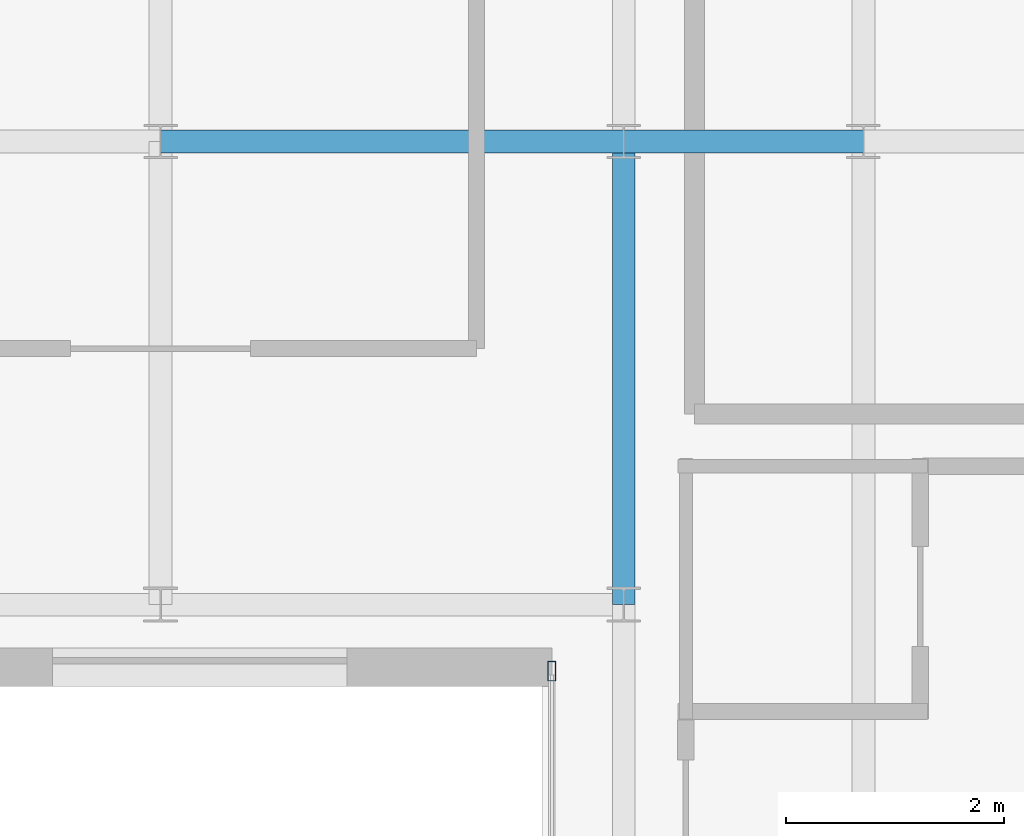
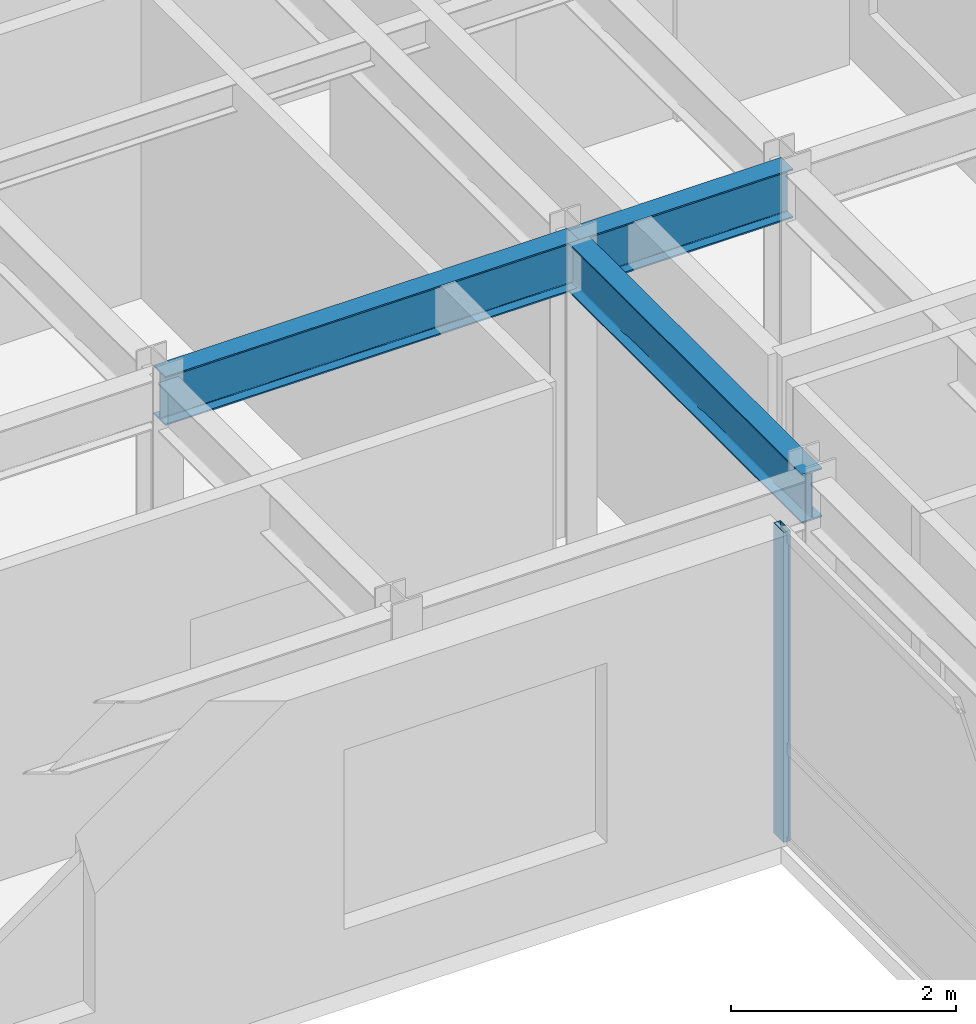
# One storey, part 11 of 18: 3 beams, 1 member, 1 element without a shape of its own.
"""IFC4 building model written with IfcOpenShell, lengths in metres."""

from ifc_helpers import new_model, si_unit, direction, frame, origin, origin_2d, place, context, subcontext, project, spatial, hollow_rectangle, i_section, extrude, source, transform, mapped, material, layer, layer_set, material_profile, profile_set, type_object, type_shapes, element, aggregate, save


model = new_model("IFC4")

# Units and contexts
model_context = context("Model", 3, precision=1e-05, world=origin(), true_north=direction((0.0, 1.0)))
body_context = subcontext(model_context, "Body", "Model", "MODEL_VIEW")
ifc_project = project(units=[si_unit("LENGTHUNIT", "METRE"), si_unit("AREAUNIT", "SQUARE_METRE"), si_unit("VOLUMEUNIT", "CUBIC_METRE"), si_unit("PLANEANGLEUNIT", "RADIAN"), si_unit("MASSUNIT", "GRAM", prefix="KILO")], contexts=[model_context])

# Site, building, storey
site_placement = place(None, origin())
site = spatial("IfcSite", under=ifc_project, at=site_placement, CompositionType="ELEMENT")
building_placement = place(site_placement, origin())
building = spatial("IfcBuilding", under=site, at=building_placement, Name="Tolvann Quenvar Hotel", CompositionType="ELEMENT")
storey_placement = place(building_placement, frame((0.0, 0.0, 259.39990234375)))
storey = spatial("IfcBuildingStorey", under=building, at=storey_placement, Name="L69", CompositionType="ELEMENT", Elevation=259.39990234375)

# Beams
ifc_material_1 = material(Name="Steel Grade 350", Category="steel")
ifc_material_profile_1 = material_profile(ifc_material_1, i_section(OverallWidth=0.208984375, OverallDepth=0.532958984375, WebThickness=0.01025390625, FlangeThickness=0.015625, FilletRadius=0.013916015625, at=origin_2d()), Name="530UB92")
ifc_profile_set_1 = profile_set([ifc_material_profile_1], Name="Steel Grade 350")
beam_type = type_object("IfcBeamType", Name="BM_GIRD_530UB92", PredefinedType="BEAM", material=ifc_profile_set_1)
shared_shape_1 = source(origin(), body_context, "Body", "SweptSolid", [
    extrude(i_section(OverallWidth=0.208984375, OverallDepth=0.532958984375, WebThickness=0.01025390625, FlangeThickness=0.015625, FilletRadius=0.013916015625, at=origin_2d()), origin(), (0.0, 0.0, 1.0), 2.199951171875),
])
beam_placement = place(storey_placement, frame((32.75, 24.39990234375, 3.103515625), z_axis=(1.0, 0.0, 0.0), x_axis=(0.0, 1.0, 0.0)))
element("IfcBeam", 1, at=beam_placement, inside=storey, type_object=beam_type, Name="BM-L69-EW-5-FP5-F5", PredefinedType="BEAM", context=body_context, shape_type="MappedRepresentation", body=[
    mapped(shared_shape_1, transform((0.0, 0.0, 0.0), x_axis=(1.0, 0.0, 0.0), y_axis=(0.0, 1.0, 0.0), z_axis=(0.0, 0.0, 1.0), scale=1.0)),
])
shared_shape_2 = source(origin(), body_context, "Body", "SweptSolid", [
    extrude(i_section(OverallWidth=0.208984375, OverallDepth=0.532958984375, WebThickness=0.01025390625, FlangeThickness=0.015625, FilletRadius=0.013916015625, at=origin_2d()), origin(), (0.0, 0.0, 1.0), 4.25),
])
type_shapes(beam_type, [shared_shape_1, shared_shape_2])
for number, where, z_axis, x_axis, name in (
    (2, (28.5, 24.39990234375, 3.103515625), (1.0, 0.0, 0.0), (0.0, 1.0, 0.0), "BM-L69-EW-5-M5-FP5"),
    (3, (32.75, 20.14990234375, 3.103515625), (0.0, 1.0, 0.0), (-1.0, 0.0, 0.0), "BM-L69-NS-FP4P-FP5"),
):
    element("IfcBeam", number, at=place(storey_placement, frame(where, z_axis=z_axis, x_axis=x_axis)), inside=storey, type_object=beam_type, Name=name, PredefinedType="BEAM", context=body_context, shape_type="MappedRepresentation", body=[
        mapped(shared_shape_2, transform((0.0, 0.0, 0.0), x_axis=(1.0, 0.0, 0.0), y_axis=(0.0, 1.0, 0.0), z_axis=(0.0, 0.0, 1.0), scale=1.0)),
    ])

# Curtain wall, member
ifc_material_2 = material(Name="Thermally broken anodised architectural aluminium 6063-T6 and laminated low-E glass", Category="aluminium")
ifc_layer = layer(ifc_material_2, 0.179931640625)
ifc_layer_set = layer_set([ifc_layer], Name="Thermally broken anodised architectural aluminium 6063-T6 and laminated low-E glass")
curtain_wall_type = type_object("IfcCurtainWallType", Name="CW_SYS_PORTAL_05", PredefinedType="USERDEFINED", material=ifc_layer_set)
curtain_wall_placement = place(storey_placement, origin())
curtain_wall = element("IfcCurtainWall", 4, at=curtain_wall_placement, inside=storey, type_object=curtain_wall_type, Name="Curtain Wall CW-PORTAL-05 (CWR-L69-E07)", ObjectType="UNITISED CURTAIN WALL", PredefinedType="USERDEFINED")
ifc_material_3 = material(Name="Anodised architectural aluminium 6063-T6 framing", Category="aluminium")
ifc_material_profile_2 = material_profile(ifc_material_3, hollow_rectangle(XDim=0.070068359375, YDim=0.179931640625, WallThickness=0.00390625, at=origin_2d()), Name="180x70x4RHS")
ifc_profile_set_2 = profile_set([ifc_material_profile_2], Name="Anodised architectural aluminium 6063-T6 framing")
member_type = type_object("IfcMemberType", Name="CW_MULL_180x70", PredefinedType="MULLION", material=ifc_profile_set_2)
shared_shape_3 = source(origin(), body_context, "Body", "SweptSolid", [
    extrude(hollow_rectangle(XDim=0.070068359375, YDim=0.179931640625, WallThickness=0.00390625, at=origin_2d()), origin(), (0.0, 0.0, 1.0), 3.3701171875),
])
type_shapes(member_type, [shared_shape_3])
member_placement = place(storey_placement, frame((32.090087890625, 19.5400390625, 0.0), z_axis=(0.0, 0.0, 1.0), x_axis=(1.0, 0.0, 0.0)))
member = element("IfcMember", 5, at=member_placement, type_object=member_type, Name="CW-PORTAL-05 mullion 1", PredefinedType="MULLION", context=body_context, shape_type="MappedRepresentation", body=[
    mapped(shared_shape_3, transform((0.0, 0.0, 0.0), x_axis=(1.0, 0.0, 0.0), y_axis=(0.0, 1.0, 0.0), z_axis=(0.0, 0.0, 1.0), scale=1.0)),
])
aggregate(curtain_wall, [member])

save(model, "model.ifc")
